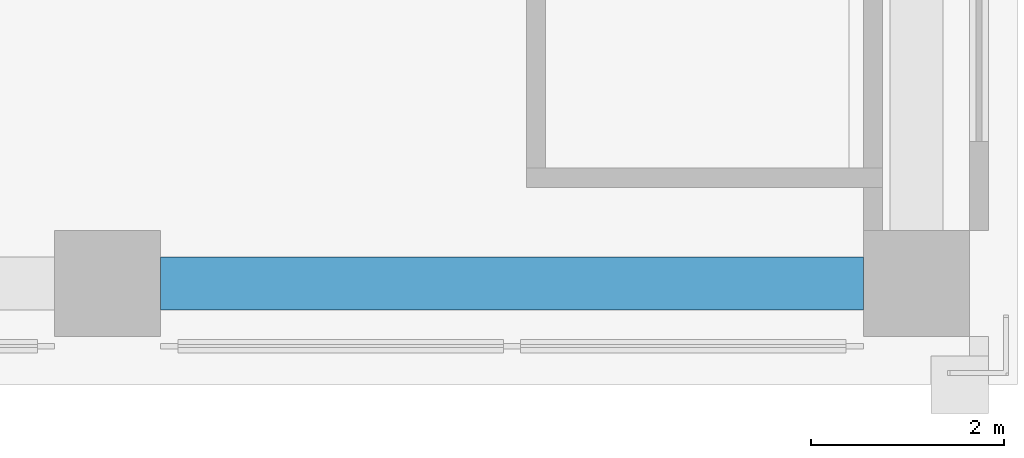
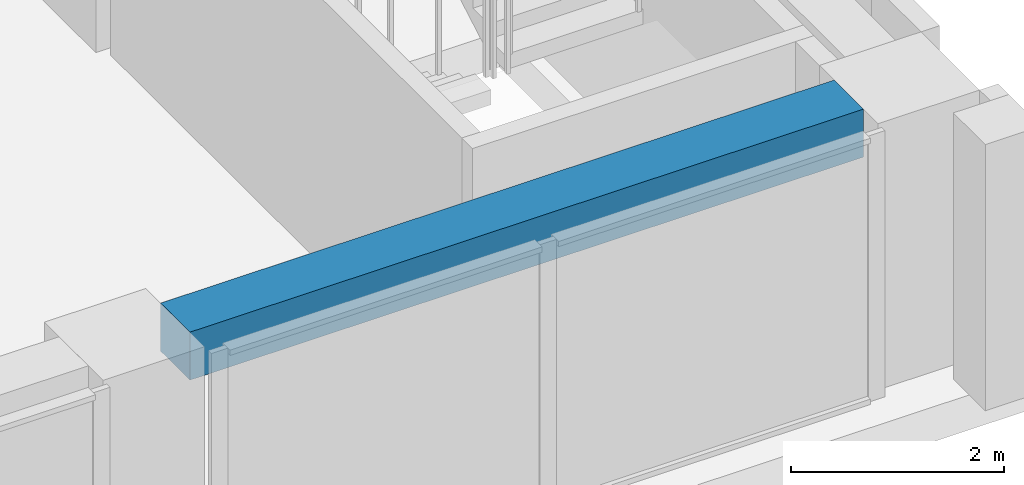
# One storey, part 3 of 16: 1 beam.
"""IFC4 building model written with IfcOpenShell, lengths in metres."""

from ifc_helpers import new_model, si_unit, direction, frame, origin, origin_2d, place, context, subcontext, project, spatial, rectangle, extrude, material, material_profile, profile_set, type_object, element, save


model = new_model("IFC4")

# Units and contexts
model_context = context("Model", 3, precision=1e-05, world=origin(), true_north=direction((0.0, 1.0)))
body_context = subcontext(model_context, "Body", "Model", "MODEL_VIEW")
ifc_project = project(units=[si_unit("LENGTHUNIT", "METRE"), si_unit("AREAUNIT", "SQUARE_METRE"), si_unit("VOLUMEUNIT", "CUBIC_METRE"), si_unit("PLANEANGLEUNIT", "RADIAN"), si_unit("MASSUNIT", "GRAM", prefix="KILO")], contexts=[model_context])

# Site, building, storey
site_placement = place(None, origin())
site = spatial("IfcSite", under=ifc_project, at=site_placement, CompositionType="ELEMENT")
building_placement = place(site_placement, origin())
building = spatial("IfcBuilding", under=site, at=building_placement, Name="Vermilion Ogive Tower", CompositionType="ELEMENT")
storey_placement = place(building_placement, frame((0.0, 0.0, 140.0)))
storey = spatial("IfcBuildingStorey", under=building, at=storey_placement, Name="L35", CompositionType="ELEMENT", Elevation=140.0)

# Beam
ifc_material = material(Name="Concrete B45", Category="concrete")
ifc_material_profile = material_profile(ifc_material, rectangle(XDim=0.550048828125, YDim=0.550048828125, at=origin_2d()), Name="550 x 550")
ifc_profile_set = profile_set([ifc_material_profile], Name="Concrete B45")
beam_type = type_object("IfcBeamType", Name="Edge beam 550 x 550 B45", PredefinedType="BEAM", material=ifc_profile_set)
beam_placement = place(storey_placement, frame((4.75, -21.0, 2.77490234375), z_axis=(1.0, 0.0, 0.0), x_axis=(0.0, 1.0, 0.0)))
element("IfcBeam", 1, at=beam_placement, inside=storey, type_object=beam_type, Name="L35-EB-3", PredefinedType="BEAM", context=body_context, shape_type="SweptSolid", body=[
    extrude(rectangle(XDim=0.550048828125, YDim=0.550048828125, at=origin_2d()), origin(), (0.0, 0.0, 1.0), 7.300048828125),
])

save(model, "model.ifc")
